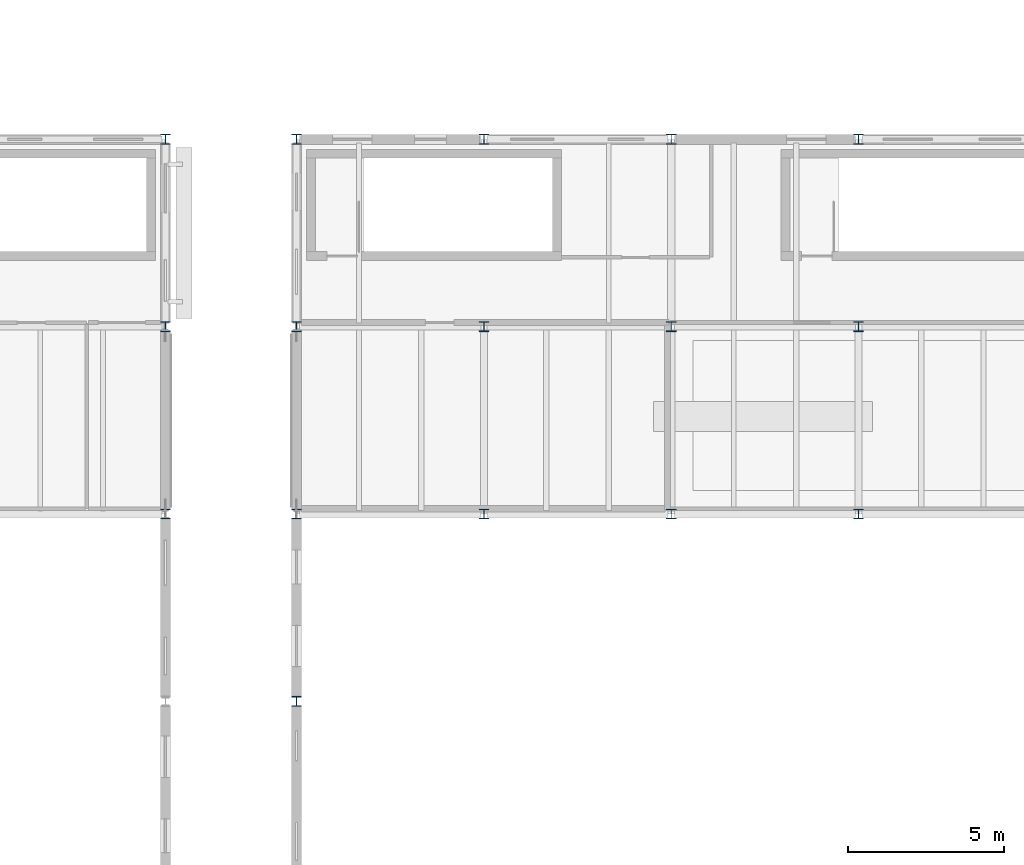
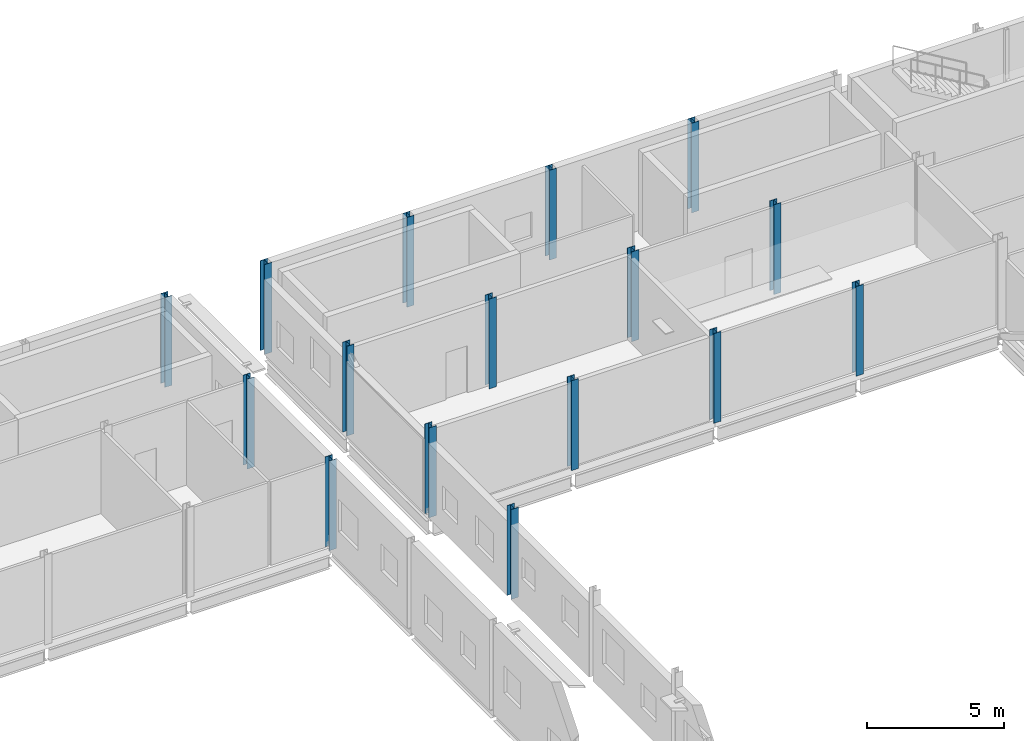
# One storey, part 4 of 92: 16 columns.
"""IFC4 building model written with IfcOpenShell, lengths in metres."""

from ifc_helpers import new_model, si_unit, direction, frame, origin, origin_2d, place, context, subcontext, project, spatial, i_section, extrude, material, material_profile, profile_set, type_object, element, save


model = new_model("IFC4")

# Units and contexts
model_context = context("Model", 3, precision=1e-05, world=origin(), true_north=direction((0.0, 1.0)))
body_context = subcontext(model_context, "Body", "Model", "MODEL_VIEW")
ifc_project = project(units=[si_unit("LENGTHUNIT", "METRE"), si_unit("AREAUNIT", "SQUARE_METRE"), si_unit("VOLUMEUNIT", "CUBIC_METRE"), si_unit("PLANEANGLEUNIT", "RADIAN"), si_unit("MASSUNIT", "GRAM", prefix="KILO")], contexts=[model_context])

# Site, building, storey
site_placement = place(None, origin())
site = spatial("IfcSite", under=ifc_project, at=site_placement, CompositionType="ELEMENT")
building_placement = place(site_placement, origin())
building = spatial("IfcBuilding", under=site, at=building_placement, Name="Siltcreek Boulevard Central Fire Station", CompositionType="ELEMENT")
storey_placement = place(building_placement, frame((0.0, 0.0, 6.0)))
storey = spatial("IfcBuildingStorey", under=building, at=storey_placement, Name="L02", CompositionType="ELEMENT", Elevation=6.0)

# Columns
ifc_material = material(Name="Structural steel ASTM A992 Gr50", Category="steel")
ifc_material_profile = material_profile(ifc_material, i_section(OverallWidth=0.306884765625, OverallDepth=0.31396484375, WebThickness=0.010986328125, FlangeThickness=0.018798828125, at=origin_2d()), Name="W310X118")
ifc_profile_set = profile_set([ifc_material_profile], Name="Structural steel ASTM A992 Gr50")
column_type = type_object("IfcColumnType", Name="COL_W310X118", PredefinedType="COLUMN", material=ifc_profile_set)
for number, where, z_axis, x_axis, name in (
    (1, (42.0, 42.0, 0.0), (0.0, 0.0, 1.0), (1.0, 0.0, 0.0), "L02 structural column COLG-L02-420-420"),
    (2, (42.0, 48.0, 0.0), (0.0, 0.0, 1.0), (1.0, 0.0, 0.0), "L02 structural column COLG-L02-420-480"),
    (3, (42.0, 54.0, 0.0), (0.0, 0.0, 1.0), (1.0, 0.0, 0.0), "L02 structural column COLG-L02-420-540"),
    (4, (48.0, 42.0, 0.0), (0.0, 0.0, 1.0), (1.0, 0.0, 0.0), "L02 structural column COLG-L02-480-420"),
    (5, (48.0, 48.0, 0.0), (0.0, 0.0, 1.0), (1.0, 0.0, 0.0), "L02 structural column COLG-L02-480-480"),
    (6, (48.0, 54.0, 0.0), (0.0, 0.0, 1.0), (1.0, 0.0, 0.0), "L02 structural column COLG-L02-480-540"),
    (7, (54.0, 42.0, 0.0), (0.0, 0.0, 1.0), (1.0, 0.0, 0.0), "L02 structural column COLG-L02-540-420"),
    (8, (54.0, 48.0, 0.0), (0.0, 0.0, 1.0), (1.0, 0.0, 0.0), "L02 structural column COLG-L02-540-480"),
    (9, (54.0, 54.0, 0.0), (0.0, 0.0, 1.0), (1.0, 0.0, 0.0), "L02 structural column COLG-L02-540-540"),
    (10, (60.0, 42.0, 0.0), (0.0, 0.0, 1.0), (1.0, 0.0, 0.0), "L02 structural column COLG-L02-600-420"),
    (11, (60.0, 48.0, 0.0), (0.0, 0.0, 1.0), (1.0, 0.0, 0.0), "L02 structural column COLG-L02-600-480"),
    (12, (60.0, 54.0, 0.0), (0.0, 0.0, 1.0), (1.0, 0.0, 0.0), "L02 structural column COLG-L02-600-540"),
    (13, (37.800048828125, 42.0, 0.0), (0.0, 0.0, 1.0), (1.0, 0.0, 0.0), "L02 structural column COLG-L02-378-420"),
    (14, (37.800048828125, 48.0, 0.0), (0.0, 0.0, 1.0), (1.0, 0.0, 0.0), "L02 structural column COLG-L02-378-480"),
    (15, (37.800048828125, 54.0, 0.0), (0.0, 0.0, 1.0), (1.0, 0.0, 0.0), "L02 structural column COLG-L02-378-540"),
    (16, (42.0, 36.0, 0.0), (0.0, 0.0, 1.0), (1.0, 0.0, 0.0), "L02 structural column COLG-L02-420-360"),
):
    element("IfcColumn", number, at=place(storey_placement, frame(where, z_axis=z_axis, x_axis=x_axis)), inside=storey, type_object=column_type, Name=name, PredefinedType="COLUMN", context=body_context, shape_type="SweptSolid", body=[
        extrude(i_section(OverallWidth=0.306884765625, OverallDepth=0.31396484375, WebThickness=0.010986328125, FlangeThickness=0.018798828125, at=origin_2d()), origin(), (0.0, 0.0, 1.0), 4.0),
    ])

save(model, "model.ifc")
